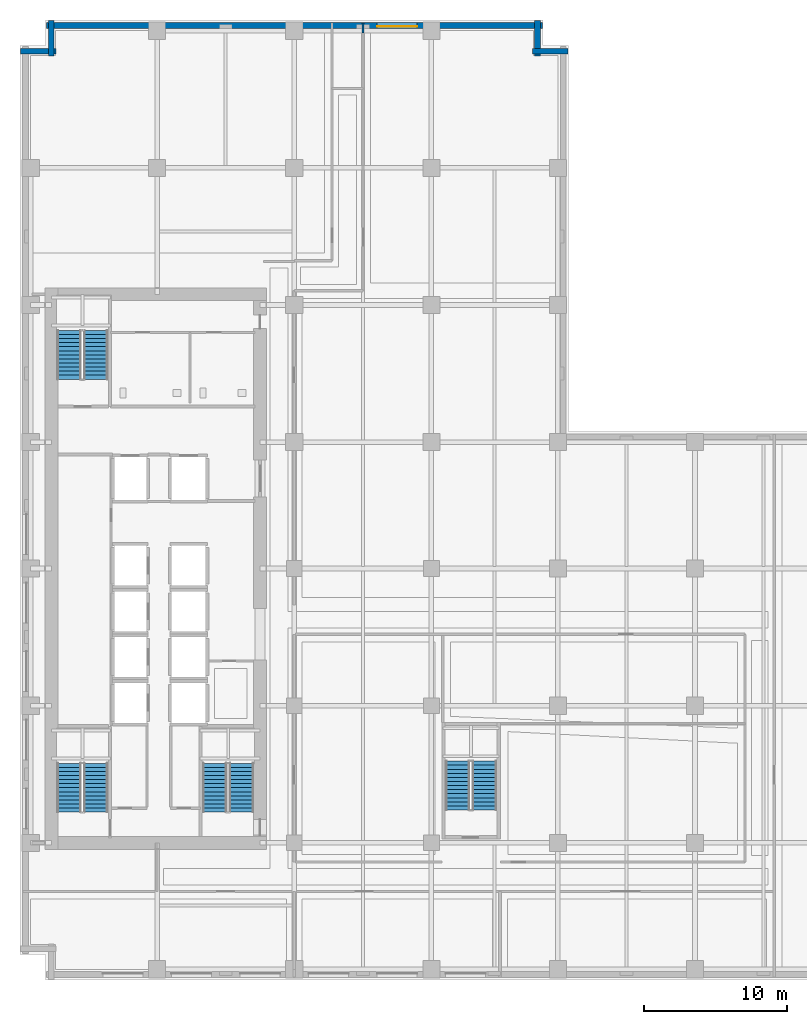
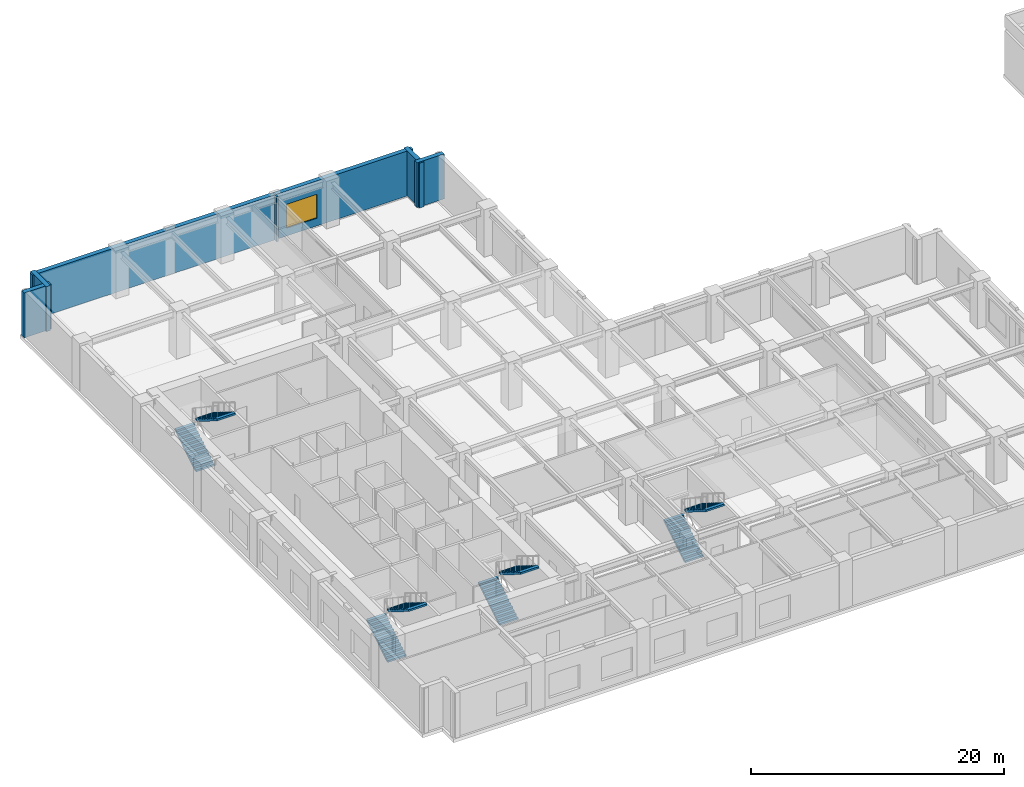
# One storey, part 12 of 21: 8 stair flights, 6 walls, 1 window, 1 opening, 4 elements without a shape of their own.
"""IFC4 building model written with IfcOpenShell, lengths in metres."""

from ifc_helpers import new_model, si_unit, direction, frame, frame_2d, origin, place, context, subcontext, project, spatial, polyline, rectangle, outline, extrude, material, layer, layer_set, type_object, element, fill, aggregate, save


model = new_model("IFC4")

# Units and contexts
model_context = context("Model", 3, precision=1e-05, world=origin(), true_north=direction((0.0, 1.0)))
body_context = subcontext(model_context, "Body", "Model", "MODEL_VIEW")
ifc_project = project(units=[si_unit("LENGTHUNIT", "METRE"), si_unit("AREAUNIT", "SQUARE_METRE"), si_unit("VOLUMEUNIT", "CUBIC_METRE"), si_unit("PLANEANGLEUNIT", "RADIAN"), si_unit("MASSUNIT", "GRAM", prefix="KILO")], contexts=[model_context])

# Site, building, storey
site_placement = place(None, origin())
site = spatial("IfcSite", under=ifc_project, at=site_placement, CompositionType="ELEMENT")
building_placement = place(site_placement, origin())
building = spatial("IfcBuilding", under=site, at=building_placement, Name="Norrvale University Quadrangle", CompositionType="ELEMENT")
storey_placement = place(building_placement, frame((0.0, 0.0, 19.60009765625)))
storey = spatial("IfcBuildingStorey", under=building, at=storey_placement, Name="L04", CompositionType="ELEMENT", Elevation=19.60009765625)

# Walls
ifc_material_1 = material(Name="Fire-Rated Gypsum Stud Partition")
ifc_layer_1 = layer(ifc_material_1, 0.14990234375, Name="Fire-Rated Gypsum Stud Partition")
ifc_layer_set_1 = layer_set([ifc_layer_1], Name="Fire-Rated Gypsum Stud Partition")
wall_type_1 = type_object("IfcWallType", Name="Wall Gypsum Corridor 150", PredefinedType="PARTITIONING", material=ifc_layer_set_1)
wall_1_placement = place(storey_placement, frame((24.0, 66.28759765625, 0.0), z_axis=(0.0, 0.0, 1.0), x_axis=(0.0, 1.0, 0.0)))
element("IfcWall", 1, at=wall_1_placement, inside=storey, type_object=wall_type_1, Name="Interior Partition WL-L04-NECW-B4", PredefinedType="PARTITIONING", context=body_context, shape_type="SweptSolid", body=[
    extrude(rectangle(XDim=0.6923828125, YDim=0.14990234375, at=frame_2d((0.34619140625, 0.0))), origin(), (0.0, 0.0, 1.0), 4.33984375),
])
ifc_material_2 = material(Name="Red Manganese Brick Masonry", Category="masonry")
ifc_layer_2 = layer(ifc_material_2, 0.39990234375, Name="Red Manganese Brick Masonry")
ifc_layer_set_2 = layer_set([ifc_layer_2], Name="Red Manganese Brick Masonry")
wall_type_2 = type_object("IfcWallType", Name="Wall Red Brick 400", PredefinedType="SOLIDWALL", material=ifc_layer_set_2)
wall_2_placement = place(storey_placement, frame((38.360107421875, 65.02001953125, 0.0), z_axis=(0.0, 0.0, 1.0), x_axis=(-1.0, 0.0, 0.0)))
element("IfcWall", 2, at=wall_2_placement, inside=storey, type_object=wall_type_2, Name="Exterior Brick Facade Wall L04-09.1", PredefinedType="SOLIDWALL", context=body_context, shape_type="SweptSolid", body=[
    extrude(rectangle(XDim=2.480224609375, YDim=0.39990234375, at=frame_2d((1.240234375, 0.0))), origin(), (0.0, 0.0, 1.0), 4.33984375),
])
wall_3_placement = place(storey_placement, frame((36.219970703125, 64.679931640625, 0.0), z_axis=(0.0, 0.0, 1.0), x_axis=(0.0, 1.0, 0.0)))
element("IfcWall", 3, at=wall_3_placement, inside=storey, type_object=wall_type_2, Name="Exterior Brick Facade Wall L04-10.1", PredefinedType="SOLIDWALL", context=body_context, shape_type="SweptSolid", body=[
    extrude(rectangle(XDim=2.47998046875, YDim=0.39990234375, at=frame_2d((1.239990234375, 0.0))), origin(), (0.0, 0.0, 1.0), 4.33984375),
])

# Wall, opening, window
wall_4_placement = place(storey_placement, frame((36.56005859375, 66.820068359375, 0.0), z_axis=(0.0, 0.0, 1.0), x_axis=(-1.0, 0.0, 0.0)))
wall_4 = element("IfcWall", 4, at=wall_4_placement, inside=storey, type_object=wall_type_2, Name="Exterior Brick Facade Wall L04-11.1", PredefinedType="SOLIDWALL", context=body_context, shape_type="SweptSolid", body=[
    extrude(rectangle(XDim=34.719970703125, YDim=0.39990234375, at=frame_2d((17.35986328125, 0.0))), origin(), (0.0, 0.0, 1.0), 4.33984375),
])
opening_placement = place(wall_4_placement, frame((8.760009765625, 0.0, 0.75)))
opening = element("IfcOpeningElement", 5, at=opening_placement, cuts=wall_4, Name="Opening W05", PredefinedType="OPENING", context=body_context, shape_type="SweptSolid", body=[
    extrude(rectangle(XDim=2.800048828125, YDim=2.300048828125, at=frame_2d((1.39990234375, 1.14990234375))), frame((0.0, 0.2119140625, 0.0), z_axis=(0.0, -1.0, 0.0), x_axis=(1.0, 0.0, 0.0)), (0.0, 0.0, 1.0), 0.423828125),
])
ifc_material_3 = material(Name="Bird-Friendly Fritted Triple Glazing", Category="glass")
window_type = type_object("IfcWindowType", Name="Window Podium 2800x2800", PartitioningType="TRIPLE_PANEL_VERTICAL", PredefinedType="WINDOW", material=ifc_material_3)
window_placement = place(opening_placement, origin())
window = element("IfcWindow", 6, at=window_placement, inside=storey, type_object=window_type, Name="Window Podium 2800x2800 WIN-L04-E11-1-01", OverallHeight=2.300048828125, OverallWidth=2.800048828125, PartitioningType="TRIPLE_PANEL_VERTICAL", PredefinedType="WINDOW", context=body_context, shape_type="SweptSolid", body=[
    extrude(rectangle(XDim=2.800048828125, YDim=2.300048828125, at=frame_2d((1.39990234375, 1.14990234375))), frame((0.0, 0.110107421875, 0.0), z_axis=(0.0, -1.0, 0.0), x_axis=(1.0, 0.0, 0.0)), (0.0, 0.0, 1.0), 0.06005859375),
])
fill(opening, window)

# Walls
for number, where, z_axis, x_axis, name in (
    (7, (2.179931640625, 67.159912109375, 0.0), (0.0, 0.0, 1.0), (0.0, -1.0, 0.0), "Exterior Brick Facade Wall L04-12.1"),
    (8, (2.52001953125, 65.02001953125, 0.0), (0.0, 0.0, 1.0), (-1.0, 0.0, 0.0), "Exterior Brick Facade Wall L04-13.1"),
):
    element("IfcWall", number, at=place(storey_placement, frame(where, z_axis=z_axis, x_axis=x_axis)), inside=storey, type_object=wall_type_2, Name=name, PredefinedType="SOLIDWALL", context=body_context, shape_type="SweptSolid", body=[
        extrude(rectangle(XDim=2.47998046875, YDim=0.39990234375, at=frame_2d((1.239990234375, 0.0))), origin(), (0.0, 0.0, 1.0), 4.33984375),
    ])

# Stair, stair flights
ifc_material_4 = material(Name="Concrete C40/50", Category="concrete")
stair_type = type_object("IfcStairType", Name="Stair Tower Pod 4600", PredefinedType="TWO_STRAIGHT_RUN_STAIR", material=ifc_material_4)
stair_1_placement = place(storey_placement, origin())
stair_1 = element("IfcStair", 9, at=stair_1_placement, inside=storey, type_object=stair_type, Name="Exit Stair ST-01 L04", PredefinedType="TWO_STRAIGHT_RUN_STAIR")
stair_flight_type = type_object("IfcStairFlightType", Name="Flight Typ 1500", PredefinedType="STRAIGHT", material=ifc_material_4)
stair_flight_1_placement = place(storey_placement, frame((3.429931640625, 11.75, 0.0), z_axis=(0.0, 0.0, 1.0), x_axis=(0.0, 1.0, 0.0)))
stair_flight_1 = element("IfcStairFlight", 10, at=stair_flight_1_placement, type_object=stair_flight_type, Name="Exit Stair ST-01 L04 Lower Flight", NumberOfRisers=13, NumberOfTreads=12, PredefinedType="STRAIGHT", RiserHeight=0.176923, TreadLength=0.285, context=body_context, shape_type="SweptSolid", body=[
    extrude(outline(polyline([(0.0, 0.0), (0.0, 0.177001953125), (0.284912109375, 0.177001953125), (0.284912109375, 0.353759765625), (0.570068359375, 0.353759765625), (0.570068359375, 0.53076171875), (0.85498046875, 0.53076171875), (0.85498046875, 0.707763671875), (1.139892578125, 0.707763671875), (1.139892578125, 0.884521484375), (1.425048828125, 0.884521484375), (1.425048828125, 1.0615234375), (1.7099609375, 1.0615234375), (1.7099609375, 1.238525390625), (1.9951171875, 1.238525390625), (1.9951171875, 1.415283203125), (2.280029296875, 1.415283203125), (2.280029296875, 1.59228515625), (2.56494140625, 1.59228515625), (2.56494140625, 1.769287109375), (2.85009765625, 1.769287109375), (2.85009765625, 1.946044921875), (3.135009765625, 1.946044921875), (3.135009765625, 2.123046875), (3.419921875, 2.123046875), (3.419921875, 2.300048828125), (3.419921875, 1.946533203125), (0.2841796875, 0.0), (0.0, 0.0)])), frame((0.0, 0.83984375, 0.0), z_axis=(0.0, -1.0, 0.0), x_axis=(1.0, 0.0, 0.0)), (0.0, 0.0, 1.0), 1.679931640625),
])
stair_flight_2_placement = place(storey_placement, frame((5.320068359375, 15.169921875, 2.2998046875), z_axis=(0.0, 0.0, 1.0), x_axis=(0.0, -1.0, 0.0)))
stair_flight_2 = element("IfcStairFlight", 11, at=stair_flight_2_placement, type_object=stair_flight_type, Name="Exit Stair ST-01 L04 Upper Flight", NumberOfRisers=13, NumberOfTreads=12, PredefinedType="STRAIGHT", RiserHeight=0.176923, TreadLength=0.285, context=body_context, shape_type="SweptSolid", body=[
    extrude(outline(polyline([(0.0, 0.0), (0.0, 0.177001953125), (0.284912109375, 0.177001953125), (0.284912109375, 0.353759765625), (0.570068359375, 0.353759765625), (0.570068359375, 0.53076171875), (0.85498046875, 0.53076171875), (0.85498046875, 0.707763671875), (1.139892578125, 0.707763671875), (1.139892578125, 0.884521484375), (1.425048828125, 0.884521484375), (1.425048828125, 1.0615234375), (1.7099609375, 1.0615234375), (1.7099609375, 1.238525390625), (1.9951171875, 1.238525390625), (1.9951171875, 1.415283203125), (2.280029296875, 1.415283203125), (2.280029296875, 1.59228515625), (2.56494140625, 1.59228515625), (2.56494140625, 1.769287109375), (2.85009765625, 1.769287109375), (2.85009765625, 1.946044921875), (3.135009765625, 1.946044921875), (3.135009765625, 2.123046875), (3.419921875, 2.123046875), (3.419921875, 2.300048828125), (3.419921875, 1.946533203125), (0.2841796875, 0.0), (0.0, 0.0)])), frame((0.0, 0.83984375, 0.0), z_axis=(0.0, -1.0, 0.0), x_axis=(1.0, 0.0, 0.0)), (0.0, 0.0, 1.0), 1.679931640625),
])
aggregate(stair_1, [stair_flight_1, stair_flight_2])

stair_2_placement = place(storey_placement, origin())
stair_2 = element("IfcStair", 12, at=stair_2_placement, inside=storey, type_object=stair_type, Name="Exit Stair ST-02 L04", PredefinedType="TWO_STRAIGHT_RUN_STAIR")
stair_flight_3_placement = place(storey_placement, frame((3.429931640625, 42.050048828125, 0.0), z_axis=(0.0, 0.0, 1.0), x_axis=(0.0, 1.0, 0.0)))
stair_flight_3 = element("IfcStairFlight", 13, at=stair_flight_3_placement, type_object=stair_flight_type, Name="Exit Stair ST-02 L04 Lower Flight", NumberOfRisers=13, NumberOfTreads=12, PredefinedType="STRAIGHT", RiserHeight=0.176923, TreadLength=0.285, context=body_context, shape_type="SweptSolid", body=[
    extrude(outline(polyline([(0.0, 0.0), (0.0, 0.177001953125), (0.284912109375, 0.177001953125), (0.284912109375, 0.353759765625), (0.570068359375, 0.353759765625), (0.570068359375, 0.53076171875), (0.85498046875, 0.53076171875), (0.85498046875, 0.707763671875), (1.139892578125, 0.707763671875), (1.139892578125, 0.884521484375), (1.425048828125, 0.884521484375), (1.425048828125, 1.0615234375), (1.7099609375, 1.0615234375), (1.7099609375, 1.238525390625), (1.9951171875, 1.238525390625), (1.9951171875, 1.415283203125), (2.280029296875, 1.415283203125), (2.280029296875, 1.59228515625), (2.56494140625, 1.59228515625), (2.56494140625, 1.769287109375), (2.85009765625, 1.769287109375), (2.85009765625, 1.946044921875), (3.135009765625, 1.946044921875), (3.135009765625, 2.123046875), (3.419921875, 2.123046875), (3.419921875, 2.300048828125), (3.419921875, 1.946533203125), (0.2841796875, 0.0), (0.0, 0.0)])), frame((0.0, 0.83984375, 0.0), z_axis=(0.0, -1.0, 0.0), x_axis=(1.0, 0.0, 0.0)), (0.0, 0.0, 1.0), 1.679931640625),
])
stair_flight_4_placement = place(storey_placement, frame((5.320068359375, 45.469970703125, 2.2998046875), z_axis=(0.0, 0.0, 1.0), x_axis=(0.0, -1.0, 0.0)))
stair_flight_4 = element("IfcStairFlight", 14, at=stair_flight_4_placement, type_object=stair_flight_type, Name="Exit Stair ST-02 L04 Upper Flight", NumberOfRisers=13, NumberOfTreads=12, PredefinedType="STRAIGHT", RiserHeight=0.176923, TreadLength=0.285, context=body_context, shape_type="SweptSolid", body=[
    extrude(outline(polyline([(0.0, 0.0), (0.0, 0.177001953125), (0.284912109375, 0.177001953125), (0.284912109375, 0.353759765625), (0.570068359375, 0.353759765625), (0.570068359375, 0.53076171875), (0.85498046875, 0.53076171875), (0.85498046875, 0.707763671875), (1.139892578125, 0.707763671875), (1.139892578125, 0.884521484375), (1.425048828125, 0.884521484375), (1.425048828125, 1.0615234375), (1.7099609375, 1.0615234375), (1.7099609375, 1.238525390625), (1.9951171875, 1.238525390625), (1.9951171875, 1.415283203125), (2.280029296875, 1.415283203125), (2.280029296875, 1.59228515625), (2.56494140625, 1.59228515625), (2.56494140625, 1.769287109375), (2.85009765625, 1.769287109375), (2.85009765625, 1.946044921875), (3.135009765625, 1.946044921875), (3.135009765625, 2.123046875), (3.419921875, 2.123046875), (3.419921875, 2.300048828125), (3.419921875, 1.946533203125), (0.2841796875, 0.0), (0.0, 0.0)])), frame((0.0, 0.83984375, 0.0), z_axis=(0.0, -1.0, 0.0), x_axis=(1.0, 0.0, 0.0)), (0.0, 0.0, 1.0), 1.679931640625),
])
aggregate(stair_2, [stair_flight_3, stair_flight_4])

stair_3_placement = place(storey_placement, origin())
stair_3 = element("IfcStair", 15, at=stair_3_placement, inside=storey, type_object=stair_type, Name="Exit Stair ST-03 L04", PredefinedType="TWO_STRAIGHT_RUN_STAIR")
stair_flight_5_placement = place(storey_placement, frame((13.6298828125, 11.75, 0.0), z_axis=(0.0, 0.0, 1.0), x_axis=(0.0, 1.0, 0.0)))
stair_flight_5 = element("IfcStairFlight", 16, at=stair_flight_5_placement, type_object=stair_flight_type, Name="Exit Stair ST-03 L04 Lower Flight", NumberOfRisers=13, NumberOfTreads=12, PredefinedType="STRAIGHT", RiserHeight=0.176923, TreadLength=0.285, context=body_context, shape_type="SweptSolid", body=[
    extrude(outline(polyline([(0.0, 0.0), (0.0, 0.177001953125), (0.284912109375, 0.177001953125), (0.284912109375, 0.353759765625), (0.570068359375, 0.353759765625), (0.570068359375, 0.53076171875), (0.85498046875, 0.53076171875), (0.85498046875, 0.707763671875), (1.139892578125, 0.707763671875), (1.139892578125, 0.884521484375), (1.425048828125, 0.884521484375), (1.425048828125, 1.0615234375), (1.7099609375, 1.0615234375), (1.7099609375, 1.238525390625), (1.9951171875, 1.238525390625), (1.9951171875, 1.415283203125), (2.280029296875, 1.415283203125), (2.280029296875, 1.59228515625), (2.56494140625, 1.59228515625), (2.56494140625, 1.769287109375), (2.85009765625, 1.769287109375), (2.85009765625, 1.946044921875), (3.135009765625, 1.946044921875), (3.135009765625, 2.123046875), (3.419921875, 2.123046875), (3.419921875, 2.300048828125), (3.419921875, 1.946533203125), (0.2841796875, 0.0), (0.0, 0.0)])), frame((0.0, 0.83984375, 0.0), z_axis=(0.0, -1.0, 0.0), x_axis=(1.0, 0.0, 0.0)), (0.0, 0.0, 1.0), 1.679931640625),
])
stair_flight_6_placement = place(storey_placement, frame((15.52001953125, 15.169921875, 2.2998046875), z_axis=(0.0, 0.0, 1.0), x_axis=(0.0, -1.0, 0.0)))
stair_flight_6 = element("IfcStairFlight", 17, at=stair_flight_6_placement, type_object=stair_flight_type, Name="Exit Stair ST-03 L04 Upper Flight", NumberOfRisers=13, NumberOfTreads=12, PredefinedType="STRAIGHT", RiserHeight=0.176923, TreadLength=0.285, context=body_context, shape_type="SweptSolid", body=[
    extrude(outline(polyline([(0.0, 0.0), (0.0, 0.177001953125), (0.284912109375, 0.177001953125), (0.284912109375, 0.353759765625), (0.570068359375, 0.353759765625), (0.570068359375, 0.53076171875), (0.85498046875, 0.53076171875), (0.85498046875, 0.707763671875), (1.139892578125, 0.707763671875), (1.139892578125, 0.884521484375), (1.425048828125, 0.884521484375), (1.425048828125, 1.0615234375), (1.7099609375, 1.0615234375), (1.7099609375, 1.238525390625), (1.9951171875, 1.238525390625), (1.9951171875, 1.415283203125), (2.280029296875, 1.415283203125), (2.280029296875, 1.59228515625), (2.56494140625, 1.59228515625), (2.56494140625, 1.769287109375), (2.85009765625, 1.769287109375), (2.85009765625, 1.946044921875), (3.135009765625, 1.946044921875), (3.135009765625, 2.123046875), (3.419921875, 2.123046875), (3.419921875, 2.300048828125), (3.419921875, 1.946533203125), (0.2841796875, 0.0), (0.0, 0.0)])), frame((0.0, 0.83984375, 0.0), z_axis=(0.0, -1.0, 0.0), x_axis=(1.0, 0.0, 0.0)), (0.0, 0.0, 1.0), 1.679931640625),
])
aggregate(stair_3, [stair_flight_5, stair_flight_6])

stair_4_placement = place(storey_placement, origin())
stair_4 = element("IfcStair", 18, at=stair_4_placement, inside=storey, type_object=stair_type, Name="Exit Stair ST-04 L04", PredefinedType="TWO_STRAIGHT_RUN_STAIR")
stair_flight_7_placement = place(storey_placement, frame((30.6298828125, 11.89990234375, 0.0), z_axis=(0.0, 0.0, 1.0), x_axis=(0.0, 1.0, 0.0)))
stair_flight_7 = element("IfcStairFlight", 19, at=stair_flight_7_placement, type_object=stair_flight_type, Name="Exit Stair ST-04 L04 Lower Flight", NumberOfRisers=13, NumberOfTreads=12, PredefinedType="STRAIGHT", RiserHeight=0.176923, TreadLength=0.285, context=body_context, shape_type="SweptSolid", body=[
    extrude(outline(polyline([(0.0, 0.0), (0.0, 0.177001953125), (0.284912109375, 0.177001953125), (0.284912109375, 0.353759765625), (0.570068359375, 0.353759765625), (0.570068359375, 0.53076171875), (0.85498046875, 0.53076171875), (0.85498046875, 0.707763671875), (1.139892578125, 0.707763671875), (1.139892578125, 0.884521484375), (1.425048828125, 0.884521484375), (1.425048828125, 1.0615234375), (1.7099609375, 1.0615234375), (1.7099609375, 1.238525390625), (1.9951171875, 1.238525390625), (1.9951171875, 1.415283203125), (2.280029296875, 1.415283203125), (2.280029296875, 1.59228515625), (2.56494140625, 1.59228515625), (2.56494140625, 1.769287109375), (2.85009765625, 1.769287109375), (2.85009765625, 1.946044921875), (3.135009765625, 1.946044921875), (3.135009765625, 2.123046875), (3.419921875, 2.123046875), (3.419921875, 2.300048828125), (3.419921875, 1.946533203125), (0.2841796875, 0.0), (0.0, 0.0)])), frame((0.0, 0.83984375, 0.0), z_axis=(0.0, -1.0, 0.0), x_axis=(1.0, 0.0, 0.0)), (0.0, 0.0, 1.0), 1.679931640625),
])
stair_flight_8_placement = place(storey_placement, frame((32.52001953125, 15.320068359375, 2.2998046875), z_axis=(0.0, 0.0, 1.0), x_axis=(0.0, -1.0, 0.0)))
stair_flight_8 = element("IfcStairFlight", 20, at=stair_flight_8_placement, type_object=stair_flight_type, Name="Exit Stair ST-04 L04 Upper Flight", NumberOfRisers=13, NumberOfTreads=12, PredefinedType="STRAIGHT", RiserHeight=0.176923, TreadLength=0.285, context=body_context, shape_type="SweptSolid", body=[
    extrude(outline(polyline([(0.0, 0.0), (0.0, 0.177001953125), (0.284912109375, 0.177001953125), (0.284912109375, 0.353759765625), (0.570068359375, 0.353759765625), (0.570068359375, 0.53076171875), (0.85498046875, 0.53076171875), (0.85498046875, 0.707763671875), (1.139892578125, 0.707763671875), (1.139892578125, 0.884521484375), (1.425048828125, 0.884521484375), (1.425048828125, 1.0615234375), (1.7099609375, 1.0615234375), (1.7099609375, 1.238525390625), (1.9951171875, 1.238525390625), (1.9951171875, 1.415283203125), (2.280029296875, 1.415283203125), (2.280029296875, 1.59228515625), (2.56494140625, 1.59228515625), (2.56494140625, 1.769287109375), (2.85009765625, 1.769287109375), (2.85009765625, 1.946044921875), (3.135009765625, 1.946044921875), (3.135009765625, 2.123046875), (3.419921875, 2.123046875), (3.419921875, 2.300048828125), (3.419921875, 1.946533203125), (0.2841796875, 0.0), (0.0, 0.0)])), frame((0.0, 0.83984375, 0.0), z_axis=(0.0, -1.0, 0.0), x_axis=(1.0, 0.0, 0.0)), (0.0, 0.0, 1.0), 1.679931640625),
])
aggregate(stair_4, [stair_flight_7, stair_flight_8])

save(model, "model.ifc")
